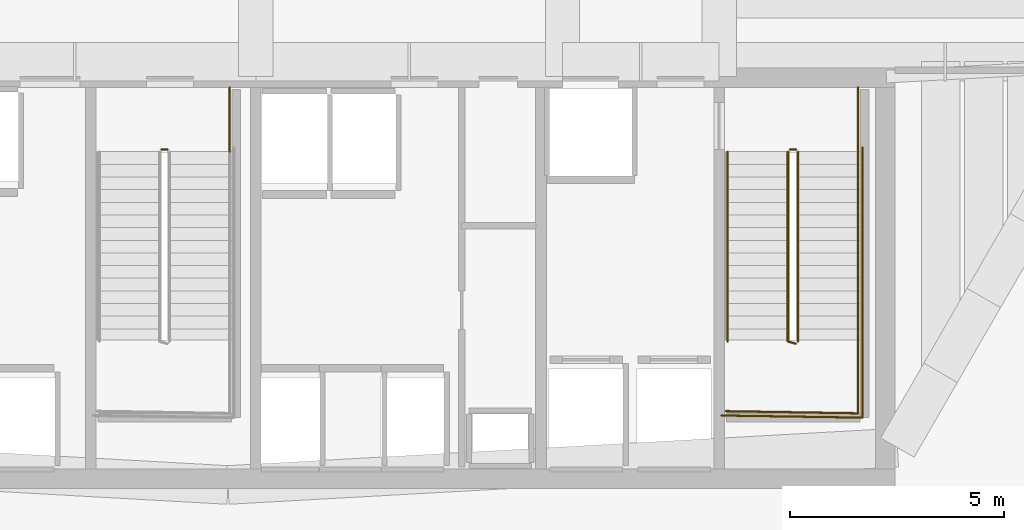
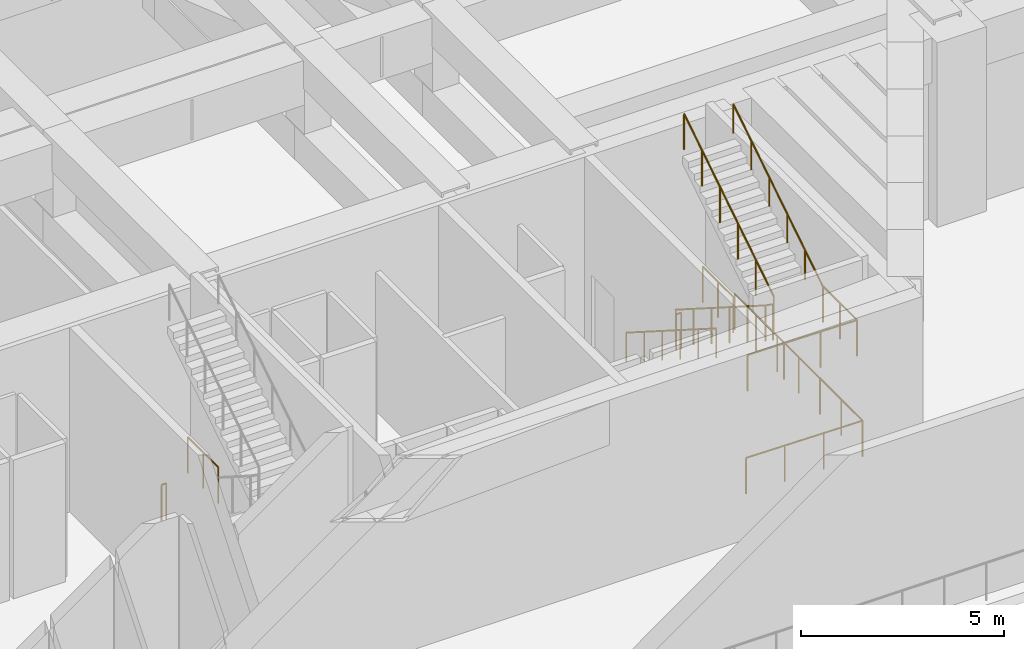
# One storey, part 20 of 27: 10 railings.
"""IFC4 building model written with IfcOpenShell, lengths in metres."""

from ifc_helpers import new_model, si_unit, direction, frame, origin, origin_2d, place, context, subcontext, project, spatial, circle, extrude, material, layer, layer_set, type_object, element, save


model = new_model("IFC4")

# Units and contexts
model_context = context("Model", 3, precision=1e-05, world=origin(), true_north=direction((0.0, 1.0)))
body_context = subcontext(model_context, "Body", "Model", "MODEL_VIEW")
ifc_project = project(units=[si_unit("LENGTHUNIT", "METRE"), si_unit("AREAUNIT", "SQUARE_METRE"), si_unit("VOLUMEUNIT", "CUBIC_METRE"), si_unit("PLANEANGLEUNIT", "RADIAN"), si_unit("MASSUNIT", "GRAM", prefix="KILO")], contexts=[model_context])

# Site, building, storey
site_placement = place(None, origin())
site = spatial("IfcSite", under=ifc_project, at=site_placement, CompositionType="ELEMENT")
building_placement = place(site_placement, origin())
building = spatial("IfcBuilding", under=site, at=building_placement, Name="Ndaravel Arena Tower", CompositionType="ELEMENT")
storey_placement = place(building_placement, frame((0.0, 0.0, 24.0)))
storey = spatial("IfcBuildingStorey", under=building, at=storey_placement, Name="L04", CompositionType="ELEMENT", Elevation=24.0)

# Railings
ifc_material_1 = material(Name="Steel S355", Category="steel")
ifc_layer_1 = layer(ifc_material_1, 0.06005859375)
ifc_layer_set_1 = layer_set([ifc_layer_1], Name="Steel S355")
railing_type_1 = type_object("IfcRailingType", Name="RAIL-STAIR-GD1100", PredefinedType="GUARDRAIL", material=ifc_layer_set_1)
railing_1_placement = place(storey_placement, frame((40.449951171875, 13.300048828125, 0.0)))
element("IfcRailing", 1, at=railing_1_placement, inside=storey, type_object=railing_type_1, Name="L04 ST-2 stair guard 4", PredefinedType="GUARDRAIL", context=body_context, shape_type="SweptSolid", body=[
    extrude(circle(Radius=0.02392578125, at=origin_2d()), frame((0.0, 0.0, 1.076171875), z_axis=(1.0, 0.0, 0.0), x_axis=(0.0, 1.0, 0.0)), (0.0, 0.0, 1.0), 0.14013671875),
    extrude(circle(Radius=0.02099609375, at=origin_2d()), origin(), (0.0, 0.0, 1.0), 1.052001953125),
    extrude(circle(Radius=0.02099609375, at=origin_2d()), frame((0.14013671875, 0.0, 0.0)), (0.0, 0.0, 1.0), 1.052001953125),
])
railing_2_placement = place(storey_placement, frame((42.0400390625, 14.75, 0.0)))
element("IfcRailing", 2, at=railing_2_placement, inside=storey, type_object=railing_type_1, Name="L04 ST-2 stair guard 5", PredefinedType="GUARDRAIL", context=body_context, shape_type="SweptSolid", body=[
    extrude(circle(Radius=0.02392578125, at=origin_2d()), frame((0.0, 0.0, 1.076171875), z_axis=(0.0, -1.0, 0.0), x_axis=(1.0, 0.0, 0.0)), (0.0, 0.0, 1.0), 1.5),
    extrude(circle(Radius=0.02099609375, at=origin_2d()), origin(), (0.0, 0.0, 1.0), 1.052001953125),
    extrude(circle(Radius=0.02099609375, at=origin_2d()), frame((0.0, -0.75, 0.0)), (0.0, 0.0, 1.0), 1.052001953125),
    extrude(circle(Radius=0.02099609375, at=origin_2d()), frame((0.0, -1.5, 0.0)), (0.0, 0.0, 1.0), 1.052001953125),
])
railing_3_placement = place(storey_placement, frame((55.050048828125, 13.25, 0.1875)))
element("IfcRailing", 3, at=railing_3_placement, inside=storey, type_object=railing_type_1, Name="L04 ST-3 stair guard 1", PredefinedType="GUARDRAIL", context=body_context, shape_type="SweptSolid", body=[
    extrude(circle(Radius=0.02392578125, at=origin_2d()), frame((0.0, 0.0, 1.076171875), z_axis=(0.0, -0.843958541447, 0.536408408136), x_axis=(1.0, 0.0, 0.0)), (0.0, 0.0, 1.0), 5.2431640625),
    extrude(circle(Radius=0.02392578125, at=origin_2d()), frame((0.0, -4.425048828125, 3.888671875), z_axis=(0.966993988697, -0.254799187253, 0.0), x_axis=(0.254799187253, 0.966993988697, 0.0)), (0.0, 0.0, 1.0), 0.196533203125),
    extrude(circle(Radius=0.02099609375, at=origin_2d()), origin(), (0.0, 0.0, 1.0), 1.052001953125),
    extrude(circle(Radius=0.02099609375, at=origin_2d()), frame((0.0, -0.885009765625, 0.5625)), (0.0, 0.0, 1.0), 1.052001953125),
    extrude(circle(Radius=0.02099609375, at=origin_2d()), frame((0.0, -1.77001953125, 1.125)), (0.0, 0.0, 1.0), 1.052001953125),
    extrude(circle(Radius=0.02099609375, at=origin_2d()), frame((0.0, -2.655029296875, 1.6875)), (0.0, 0.0, 1.0), 1.052001953125),
    extrude(circle(Radius=0.02099609375, at=origin_2d()), frame((0.0, -3.5400390625, 2.25)), (0.0, 0.0, 1.0), 1.052001953125),
    extrude(circle(Radius=0.02099609375, at=origin_2d()), frame((0.0, -4.425048828125, 2.8125)), (0.0, 0.0, 1.0), 1.052001953125),
    extrude(circle(Radius=0.02099609375, at=origin_2d()), frame((0.18994140625, -4.47509765625, 2.8125)), (0.0, 0.0, 1.0), 1.052001953125),
])
railing_4_placement = place(storey_placement, frame((56.68994140625, 8.824951171875, 3.0)))
element("IfcRailing", 4, at=railing_4_placement, inside=storey, type_object=railing_type_1, Name="L04 ST-3 stair guard 2", PredefinedType="GUARDRAIL", context=body_context, shape_type="SweptSolid", body=[
    extrude(circle(Radius=0.02392578125, at=origin_2d()), frame((0.0, 0.0, 1.076171875), z_axis=(0.0, -1.0, 0.0), x_axis=(1.0, 0.0, 0.0)), (0.0, 0.0, 1.0), 1.675048828125),
    extrude(circle(Radius=0.02392578125, at=origin_2d()), frame((0.0, -1.675048828125, 1.076171875), z_axis=(-0.999868840623, 0.016195726322, 0.0), x_axis=(-0.016195726322, -0.999868840623, 0.0)), (0.0, 0.0, 1.0), 3.09033203125),
    extrude(circle(Radius=0.02099609375, at=origin_2d()), origin(), (0.0, 0.0, 1.0), 1.052001953125),
    extrude(circle(Radius=0.02099609375, at=origin_2d()), frame((0.0, -0.83740234375, 0.0)), (0.0, 0.0, 1.0), 1.052001953125),
    extrude(circle(Radius=0.02099609375, at=origin_2d()), frame((0.0, -1.675048828125, 0.0)), (0.0, 0.0, 1.0), 1.052001953125),
    extrude(circle(Radius=0.02099609375, at=origin_2d()), frame((-1.030029296875, -1.658447265625, 0.0)), (0.0, 0.0, 1.0), 1.052001953125),
    extrude(circle(Radius=0.02099609375, at=origin_2d()), frame((-2.059814453125, -1.6416015625, 0.0)), (0.0, 0.0, 1.0), 1.052001953125),
    extrude(circle(Radius=0.02099609375, at=origin_2d()), frame((-3.08984375, -1.625, 0.0)), (0.0, 0.0, 1.0), 1.052001953125),
])
railing_5_placement = place(storey_placement, frame((55.2900390625, 8.824951171875, 3.1875)))
element("IfcRailing", 5, at=railing_5_placement, inside=storey, type_object=railing_type_1, Name="L04 ST-3 stair guard 3", PredefinedType="GUARDRAIL", context=body_context, shape_type="SweptSolid", body=[
    extrude(circle(Radius=0.02392578125, at=origin_2d()), frame((0.0, 0.0, 1.076171875), z_axis=(0.0, 0.843958541447, 0.536408408136), x_axis=(-1.0, 0.0, 0.0)), (0.0, 0.0, 1.0), 5.2431640625),
    extrude(circle(Radius=0.02099609375, at=origin_2d()), origin(), (0.0, 0.0, 1.0), 1.052001953125),
    extrude(circle(Radius=0.02099609375, at=origin_2d()), frame((0.0, 0.885009765625, 0.5625)), (0.0, 0.0, 1.0), 1.052001953125),
    extrude(circle(Radius=0.02099609375, at=origin_2d()), frame((0.0, 1.77001953125, 1.125)), (0.0, 0.0, 1.0), 1.052001953125),
    extrude(circle(Radius=0.02099609375, at=origin_2d()), frame((0.0, 2.655029296875, 1.6875)), (0.0, 0.0, 1.0), 1.052001953125),
    extrude(circle(Radius=0.02099609375, at=origin_2d()), frame((0.0, 3.5400390625, 2.25)), (0.0, 0.0, 1.0), 1.052001953125),
    extrude(circle(Radius=0.02099609375, at=origin_2d()), frame((0.0, 4.425048828125, 2.8125)), (0.0, 0.0, 1.0), 1.052001953125),
])
railing_6_placement = place(storey_placement, frame((55.10009765625, 13.300048828125, 0.0)))
element("IfcRailing", 6, at=railing_6_placement, inside=storey, type_object=railing_type_1, Name="L04 ST-3 stair guard 4", PredefinedType="GUARDRAIL", context=body_context, shape_type="SweptSolid", body=[
    extrude(circle(Radius=0.02392578125, at=origin_2d()), frame((0.0, 0.0, 1.076171875), z_axis=(1.0, 0.0, 0.0), x_axis=(0.0, 1.0, 0.0)), (0.0, 0.0, 1.0), 0.139892578125),
    extrude(circle(Radius=0.02099609375, at=origin_2d()), origin(), (0.0, 0.0, 1.0), 1.052001953125),
    extrude(circle(Radius=0.02099609375, at=origin_2d()), frame((0.139892578125, 0.0, 0.0)), (0.0, 0.0, 1.0), 1.052001953125),
])
railing_7_placement = place(storey_placement, frame((56.68994140625, 14.75, 0.0)))
element("IfcRailing", 7, at=railing_7_placement, inside=storey, type_object=railing_type_1, Name="L04 ST-3 stair guard 5", PredefinedType="GUARDRAIL", context=body_context, shape_type="SweptSolid", body=[
    extrude(circle(Radius=0.02392578125, at=origin_2d()), frame((0.0, 0.0, 1.076171875), z_axis=(0.0, -1.0, 0.0), x_axis=(1.0, 0.0, 0.0)), (0.0, 0.0, 1.0), 1.5),
    extrude(circle(Radius=0.02099609375, at=origin_2d()), origin(), (0.0, 0.0, 1.0), 1.052001953125),
    extrude(circle(Radius=0.02099609375, at=origin_2d()), frame((0.0, -0.75, 0.0)), (0.0, 0.0, 1.0), 1.052001953125),
    extrude(circle(Radius=0.02099609375, at=origin_2d()), frame((0.0, -1.5, 0.0)), (0.0, 0.0, 1.0), 1.052001953125),
])
railing_8_placement = place(storey_placement, frame((56.7900390625, 13.35009765625, 0.0)))
element("IfcRailing", 8, at=railing_8_placement, inside=storey, type_object=railing_type_1, Name="L04 ST-3 stair guard 6", PredefinedType="GUARDRAIL", context=body_context, shape_type="SweptSolid", body=[
    extrude(circle(Radius=0.02392578125, at=origin_2d()), frame((0.0, 0.0, 1.076171875), z_axis=(0.0, -1.0, 0.0), x_axis=(1.0, 0.0, 0.0)), (0.0, 0.0, 1.0), 6.300048828125),
    extrude(circle(Radius=0.02392578125, at=origin_2d()), frame((0.0, -6.300048828125, 1.076171875), z_axis=(-0.99988431412, 0.015210469308, 0.0), x_axis=(-0.015210469308, -0.99988431412, 0.0)), (0.0, 0.0, 1.0), 3.29052734375),
    extrude(circle(Radius=0.02099609375, at=origin_2d()), origin(), (0.0, 0.0, 1.0), 1.052001953125),
    extrude(circle(Radius=0.02099609375, at=origin_2d()), frame((0.0, -1.050048828125, 0.0)), (0.0, 0.0, 1.0), 1.052001953125),
    extrude(circle(Radius=0.02099609375, at=origin_2d()), frame((0.0, -2.10009765625, 0.0)), (0.0, 0.0, 1.0), 1.052001953125),
    extrude(circle(Radius=0.02099609375, at=origin_2d()), frame((0.0, -3.14990234375, 0.0)), (0.0, 0.0, 1.0), 1.052001953125),
    extrude(circle(Radius=0.02099609375, at=origin_2d()), frame((0.0, -4.199951171875, 0.0)), (0.0, 0.0, 1.0), 1.052001953125),
    extrude(circle(Radius=0.02099609375, at=origin_2d()), frame((0.0, -5.25, 0.0)), (0.0, 0.0, 1.0), 1.052001953125),
    extrude(circle(Radius=0.02099609375, at=origin_2d()), frame((0.0, -6.300048828125, 0.0)), (0.0, 0.0, 1.0), 1.052001953125),
    extrude(circle(Radius=0.02099609375, at=origin_2d()), frame((-1.0966796875, -6.283447265625, 0.0)), (0.0, 0.0, 1.0), 1.052001953125),
    extrude(circle(Radius=0.02099609375, at=origin_2d()), frame((-2.193359375, -6.2666015625, 0.0)), (0.0, 0.0, 1.0), 1.052001953125),
    extrude(circle(Radius=0.02099609375, at=origin_2d()), frame((-3.2900390625, -6.25, 0.0)), (0.0, 0.0, 1.0), 1.052001953125),
])
ifc_material_2 = material(Name="Steel S355", Category="steel")
ifc_layer_2 = layer(ifc_material_2, 0.050048828125)
ifc_layer_set_2 = layer_set([ifc_layer_2], Name="Steel S355")
railing_type_2 = type_object("IfcRailingType", Name="RAIL-STAIR-HR920", PredefinedType="HANDRAIL", material=ifc_layer_set_2)
railing_9_placement = place(storey_placement, frame((53.64990234375, 13.25, 0.1875)))
element("IfcRailing", 9, at=railing_9_placement, inside=storey, type_object=railing_type_2, Name="L04 ST-3 stair handrail 1", PredefinedType="HANDRAIL", context=body_context, shape_type="SweptSolid", body=[
    extrude(circle(Radius=0.02392578125, at=origin_2d()), frame((0.0, 0.0, 0.8759765625), z_axis=(0.0, -0.843958541447, 0.536408408136), x_axis=(1.0, 0.0, 0.0)), (0.0, 0.0, 1.0), 5.2431640625),
    extrude(circle(Radius=0.02099609375, at=origin_2d()), origin(), (0.0, 0.0, 1.0), 0.851806640625),
    extrude(circle(Radius=0.02099609375, at=origin_2d()), frame((0.0, -0.885009765625, 0.5625)), (0.0, 0.0, 1.0), 0.851806640625),
    extrude(circle(Radius=0.02099609375, at=origin_2d()), frame((0.0, -1.77001953125, 1.125)), (0.0, 0.0, 1.0), 0.851806640625),
    extrude(circle(Radius=0.02099609375, at=origin_2d()), frame((0.0, -2.655029296875, 1.6875)), (0.0, 0.0, 1.0), 0.851806640625),
    extrude(circle(Radius=0.02099609375, at=origin_2d()), frame((0.0, -3.5400390625, 2.25)), (0.0, 0.0, 1.0), 0.851806640625),
    extrude(circle(Radius=0.02099609375, at=origin_2d()), frame((0.0, -4.425048828125, 2.8125)), (0.0, 0.0, 1.0), 0.851806640625),
])
railing_10_placement = place(storey_placement, frame((56.68994140625, 8.824951171875, 3.1875)))
element("IfcRailing", 10, at=railing_10_placement, inside=storey, type_object=railing_type_2, Name="L04 ST-3 stair handrail 2", PredefinedType="HANDRAIL", context=body_context, shape_type="SweptSolid", body=[
    extrude(circle(Radius=0.02392578125, at=origin_2d()), frame((0.0, 0.0, 0.8759765625), z_axis=(0.0, 0.843958541447, 0.536408408136), x_axis=(-1.0, 0.0, 0.0)), (0.0, 0.0, 1.0), 5.2431640625),
    extrude(circle(Radius=0.02099609375, at=origin_2d()), origin(), (0.0, 0.0, 1.0), 0.851806640625),
    extrude(circle(Radius=0.02099609375, at=origin_2d()), frame((0.0, 0.885009765625, 0.5625)), (0.0, 0.0, 1.0), 0.851806640625),
    extrude(circle(Radius=0.02099609375, at=origin_2d()), frame((0.0, 1.77001953125, 1.125)), (0.0, 0.0, 1.0), 0.851806640625),
    extrude(circle(Radius=0.02099609375, at=origin_2d()), frame((0.0, 2.655029296875, 1.6875)), (0.0, 0.0, 1.0), 0.851806640625),
    extrude(circle(Radius=0.02099609375, at=origin_2d()), frame((0.0, 3.5400390625, 2.25)), (0.0, 0.0, 1.0), 0.851806640625),
    extrude(circle(Radius=0.02099609375, at=origin_2d()), frame((0.0, 4.425048828125, 2.8125)), (0.0, 0.0, 1.0), 0.851806640625),
])

save(model, "model.ifc")
